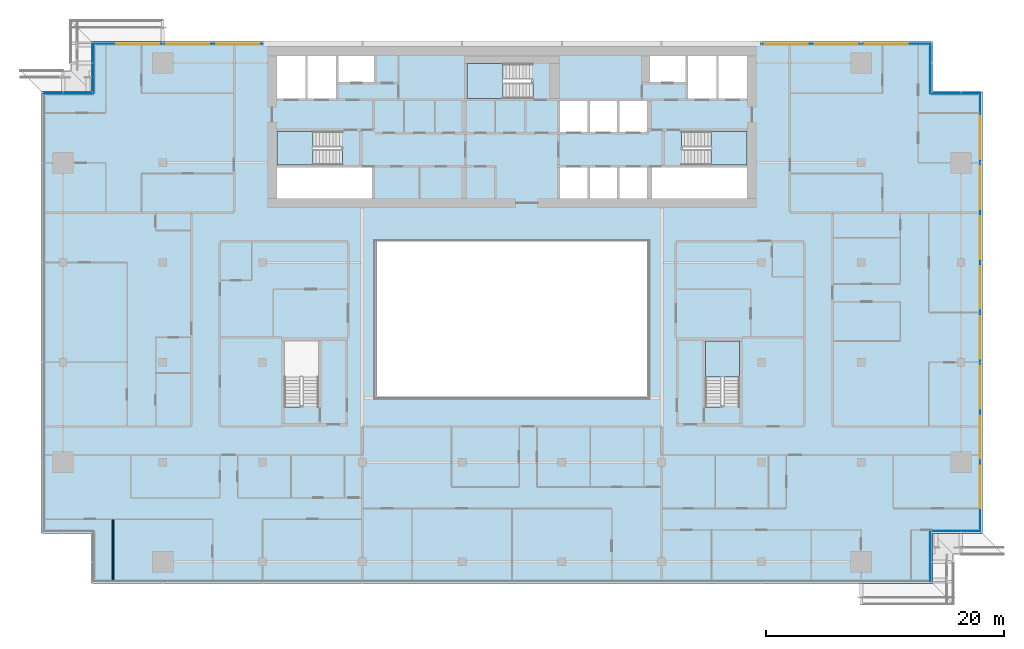
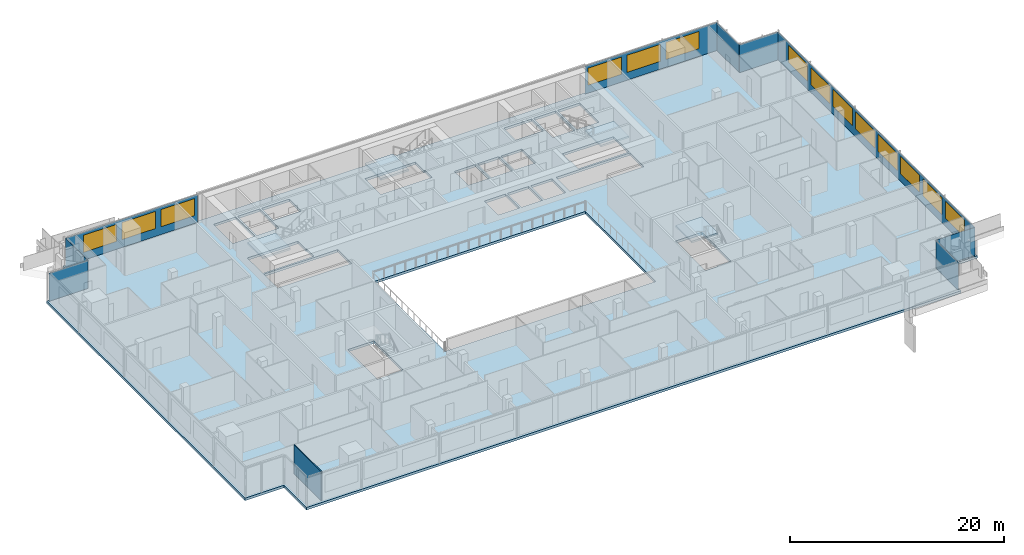
# One storey, part 17 of 30: 14 windows, 9 plates, 5 slabs, 1 wall, 14 openings, 12 elements without a shape of their own.
"""IFC4 building model written with IfcOpenShell, lengths in metres."""

from ifc_helpers import new_model, si_unit, direction, frame, frame_2d, origin, place, context, subcontext, project, spatial, polyline, rectangle, outline, extrude, material, layer, layer_set, type_object, element, fill, aggregate, save


model = new_model("IFC4")

# Units and contexts
model_context = context("Model", 3, precision=1e-05, world=origin(), true_north=direction((0.0, 1.0)))
body_context = subcontext(model_context, "Body", "Model", "MODEL_VIEW")
ifc_project = project(units=[si_unit("LENGTHUNIT", "METRE"), si_unit("AREAUNIT", "SQUARE_METRE"), si_unit("VOLUMEUNIT", "CUBIC_METRE"), si_unit("PLANEANGLEUNIT", "RADIAN"), si_unit("MASSUNIT", "GRAM", prefix="KILO")], contexts=[model_context])

# Site, building, storey
site_placement = place(None, origin())
site = spatial("IfcSite", under=ifc_project, at=site_placement, CompositionType="ELEMENT")
building_placement = place(site_placement, origin())
building = spatial("IfcBuilding", under=site, at=building_placement, Name="Saffron Gate Tower", CompositionType="ELEMENT")
storey_placement = place(building_placement, frame((0.0, 0.0, 179.85009765625)))
storey = spatial("IfcBuildingStorey", under=building, at=storey_placement, Name="L44", CompositionType="ELEMENT", Elevation=179.85009765625)

# Curtain wall, plate, openings, windows
ifc_material_1 = material(Name="Aluminium, bronze anodised", Category="aluminium")
curtain_wall_type_1 = type_object("IfcCurtainWallType", Name="CWS2 curtain wall side facades", PredefinedType="NOTDEFINED", material=ifc_material_1)
curtain_wall_1_placement = place(storey_placement, origin())
curtain_wall_1 = element("IfcCurtainWall", 1, at=curtain_wall_1_placement, inside=storey, type_object=curtain_wall_type_1, Name="CWS2 run 4", PredefinedType="NOTDEFINED")
ifc_material_2 = material(Name="Fritted bronze-tinted laminated glass", Category="glass")
ifc_layer_1 = layer(ifc_material_2, 0.028076171875)
ifc_layer_set_1 = layer_set([ifc_layer_1], Name="CWS2 fixed glass")
plate_type_1 = type_object("IfcPlateType", Name="CWS2 fixed glass", PredefinedType="CURTAIN_PANEL", material=ifc_layer_set_1)
plate_1_placement = place(storey_placement, frame((127.02587890625, 34.387939453125, 0.0), z_axis=(0.0, 0.0, 1.0), x_axis=(0.0, 1.0, 0.0)))
plate_1 = element("IfcPlate", 2, at=plate_1_placement, type_object=plate_type_1, Name="CWS2 glass panel", PredefinedType="CURTAIN_PANEL", context=body_context, shape_type="SweptSolid", body=[
    extrude(rectangle(XDim=36.823974609375, YDim=0.028076171875, at=frame_2d((18.412109375, 0.0))), origin(), (0.0, 0.0, 1.0), 3.199951171875),
])
opening_1_placement = place(plate_1_placement, frame((1.912109375, 0.0, 0.89990234375)))
opening_1 = element("IfcOpeningElement", 3, at=opening_1_placement, cuts=plate_1, Name="Opening W1", PredefinedType="OPENING", context=body_context, shape_type="SweptSolid", body=[
    extrude(rectangle(XDim=3.60009765625, YDim=1.949951171875, at=frame_2d((1.800048828125, 0.97509765625))), frame((0.0, 0.02392578125, 0.0), z_axis=(0.0, -1.0, 0.0), x_axis=(1.0, 0.0, 0.0)), (0.0, 0.0, 1.0), 0.048095703125),
])
opening_2_placement = place(plate_1_placement, frame((6.112060546875, 0.0, 0.89990234375)))
opening_2 = element("IfcOpeningElement", 4, at=opening_2_placement, cuts=plate_1, Name="Opening W1", PredefinedType="OPENING", context=body_context, shape_type="SweptSolid", body=[
    extrude(rectangle(XDim=3.60009765625, YDim=1.949951171875, at=frame_2d((1.800048828125, 0.97509765625))), frame((0.0, 0.02392578125, 0.0), z_axis=(0.0, -1.0, 0.0), x_axis=(1.0, 0.0, 0.0)), (0.0, 0.0, 1.0), 0.048095703125),
])
opening_3_placement = place(plate_1_placement, frame((10.31201171875, 0.0, 0.89990234375)))
opening_3 = element("IfcOpeningElement", 5, at=opening_3_placement, cuts=plate_1, Name="Opening W1", PredefinedType="OPENING", context=body_context, shape_type="SweptSolid", body=[
    extrude(rectangle(XDim=3.60009765625, YDim=1.949951171875, at=frame_2d((1.800048828125, 0.97509765625))), frame((0.0, 0.02392578125, 0.0), z_axis=(0.0, -1.0, 0.0), x_axis=(1.0, 0.0, 0.0)), (0.0, 0.0, 1.0), 0.048095703125),
])
opening_4_placement = place(plate_1_placement, frame((14.511962890625, 0.0, 0.89990234375)))
opening_4 = element("IfcOpeningElement", 6, at=opening_4_placement, cuts=plate_1, Name="Opening W1", PredefinedType="OPENING", context=body_context, shape_type="SweptSolid", body=[
    extrude(rectangle(XDim=3.60009765625, YDim=1.949951171875, at=frame_2d((1.800048828125, 0.97509765625))), frame((0.0, 0.02392578125, 0.0), z_axis=(0.0, -1.0, 0.0), x_axis=(1.0, 0.0, 0.0)), (0.0, 0.0, 1.0), 0.048095703125),
])
opening_5_placement = place(plate_1_placement, frame((18.7119140625, 0.0, 0.89990234375)))
opening_5 = element("IfcOpeningElement", 7, at=opening_5_placement, cuts=plate_1, Name="Opening W1", PredefinedType="OPENING", context=body_context, shape_type="SweptSolid", body=[
    extrude(rectangle(XDim=3.60009765625, YDim=1.949951171875, at=frame_2d((1.800048828125, 0.97509765625))), frame((0.0, 0.02392578125, 0.0), z_axis=(0.0, -1.0, 0.0), x_axis=(1.0, 0.0, 0.0)), (0.0, 0.0, 1.0), 0.048095703125),
])
opening_6_placement = place(plate_1_placement, frame((22.912109375, 0.0, 0.89990234375)))
opening_6 = element("IfcOpeningElement", 8, at=opening_6_placement, cuts=plate_1, Name="Opening W1", PredefinedType="OPENING", context=body_context, shape_type="SweptSolid", body=[
    extrude(rectangle(XDim=3.60009765625, YDim=1.949951171875, at=frame_2d((1.800048828125, 0.97509765625))), frame((0.0, 0.02392578125, 0.0), z_axis=(0.0, -1.0, 0.0), x_axis=(1.0, 0.0, 0.0)), (0.0, 0.0, 1.0), 0.048095703125),
])
opening_7_placement = place(plate_1_placement, frame((27.112060546875, 0.0, 0.89990234375)))
opening_7 = element("IfcOpeningElement", 9, at=opening_7_placement, cuts=plate_1, Name="Opening W1", PredefinedType="OPENING", context=body_context, shape_type="SweptSolid", body=[
    extrude(rectangle(XDim=3.60009765625, YDim=1.949951171875, at=frame_2d((1.800048828125, 0.97509765625))), frame((0.0, 0.02392578125, 0.0), z_axis=(0.0, -1.0, 0.0), x_axis=(1.0, 0.0, 0.0)), (0.0, 0.0, 1.0), 0.048095703125),
])
opening_8_placement = place(plate_1_placement, frame((31.31201171875, 0.0, 0.89990234375)))
opening_8 = element("IfcOpeningElement", 10, at=opening_8_placement, cuts=plate_1, Name="Opening W1", PredefinedType="OPENING", context=body_context, shape_type="SweptSolid", body=[
    extrude(rectangle(XDim=3.60009765625, YDim=1.949951171875, at=frame_2d((1.800048828125, 0.97509765625))), frame((0.0, 0.02392578125, 0.0), z_axis=(0.0, -1.0, 0.0), x_axis=(1.0, 0.0, 0.0)), (0.0, 0.0, 1.0), 0.048095703125),
])
ifc_material_3 = material(Name="Fritted bronze-tinted laminated glass in bronze frame", Category="glass")
ifc_layer_2 = layer(ifc_material_3, 0.06005859375)
ifc_layer_set_2 = layer_set([ifc_layer_2], Name="W1 operable panel 3600x1950")
window_type = type_object("IfcWindowType", Name="W1 operable panel 3600x1950", PartitioningType="DOUBLE_PANEL_HORIZONTAL", PredefinedType="WINDOW", material=ifc_layer_set_2)
window_1_placement = place(opening_1_placement, origin())
window_1 = element("IfcWindow", 11, at=window_1_placement, type_object=window_type, Name="W1 operable panel", OverallHeight=1.949951171875, OverallWidth=3.60009765625, PartitioningType="SINGLE_PANEL", PredefinedType="WINDOW", context=body_context, shape_type="SweptSolid", body=[
    extrude(rectangle(XDim=3.60009765625, YDim=1.949951171875, at=frame_2d((1.800048828125, 0.97509765625))), frame((0.0, 0.013671875, 0.0), z_axis=(0.0, -1.0, 0.0), x_axis=(1.0, 0.0, 0.0)), (0.0, 0.0, 1.0), 0.027587890625),
])
fill(opening_1, window_1)
window_2_placement = place(opening_2_placement, origin())
window_2 = element("IfcWindow", 12, at=window_2_placement, type_object=window_type, Name="W1 operable panel", OverallHeight=1.949951171875, OverallWidth=3.60009765625, PartitioningType="SINGLE_PANEL", PredefinedType="WINDOW", context=body_context, shape_type="SweptSolid", body=[
    extrude(rectangle(XDim=3.60009765625, YDim=1.949951171875, at=frame_2d((1.800048828125, 0.97509765625))), frame((0.0, 0.013671875, 0.0), z_axis=(0.0, -1.0, 0.0), x_axis=(1.0, 0.0, 0.0)), (0.0, 0.0, 1.0), 0.027587890625),
])
fill(opening_2, window_2)
window_3_placement = place(opening_3_placement, origin())
window_3 = element("IfcWindow", 13, at=window_3_placement, type_object=window_type, Name="W1 operable panel", OverallHeight=1.949951171875, OverallWidth=3.60009765625, PartitioningType="SINGLE_PANEL", PredefinedType="WINDOW", context=body_context, shape_type="SweptSolid", body=[
    extrude(rectangle(XDim=3.60009765625, YDim=1.949951171875, at=frame_2d((1.800048828125, 0.97509765625))), frame((0.0, 0.013671875, 0.0), z_axis=(0.0, -1.0, 0.0), x_axis=(1.0, 0.0, 0.0)), (0.0, 0.0, 1.0), 0.027587890625),
])
fill(opening_3, window_3)
window_4_placement = place(opening_4_placement, origin())
window_4 = element("IfcWindow", 14, at=window_4_placement, type_object=window_type, Name="W1 operable panel", OverallHeight=1.949951171875, OverallWidth=3.60009765625, PartitioningType="SINGLE_PANEL", PredefinedType="WINDOW", context=body_context, shape_type="SweptSolid", body=[
    extrude(rectangle(XDim=3.60009765625, YDim=1.949951171875, at=frame_2d((1.800048828125, 0.97509765625))), frame((0.0, 0.013671875, 0.0), z_axis=(0.0, -1.0, 0.0), x_axis=(1.0, 0.0, 0.0)), (0.0, 0.0, 1.0), 0.027587890625),
])
fill(opening_4, window_4)
window_5_placement = place(opening_5_placement, origin())
window_5 = element("IfcWindow", 15, at=window_5_placement, type_object=window_type, Name="W1 operable panel", OverallHeight=1.949951171875, OverallWidth=3.60009765625, PartitioningType="SINGLE_PANEL", PredefinedType="WINDOW", context=body_context, shape_type="SweptSolid", body=[
    extrude(rectangle(XDim=3.60009765625, YDim=1.949951171875, at=frame_2d((1.800048828125, 0.97509765625))), frame((0.0, 0.013671875, 0.0), z_axis=(0.0, -1.0, 0.0), x_axis=(1.0, 0.0, 0.0)), (0.0, 0.0, 1.0), 0.027587890625),
])
fill(opening_5, window_5)
window_6_placement = place(opening_6_placement, origin())
window_6 = element("IfcWindow", 16, at=window_6_placement, type_object=window_type, Name="W1 operable panel", OverallHeight=1.949951171875, OverallWidth=3.60009765625, PartitioningType="SINGLE_PANEL", PredefinedType="WINDOW", context=body_context, shape_type="SweptSolid", body=[
    extrude(rectangle(XDim=3.60009765625, YDim=1.949951171875, at=frame_2d((1.800048828125, 0.97509765625))), frame((0.0, 0.013671875, 0.0), z_axis=(0.0, -1.0, 0.0), x_axis=(1.0, 0.0, 0.0)), (0.0, 0.0, 1.0), 0.027587890625),
])
fill(opening_6, window_6)
window_7_placement = place(opening_7_placement, origin())
window_7 = element("IfcWindow", 17, at=window_7_placement, type_object=window_type, Name="W1 operable panel", OverallHeight=1.949951171875, OverallWidth=3.60009765625, PartitioningType="SINGLE_PANEL", PredefinedType="WINDOW", context=body_context, shape_type="SweptSolid", body=[
    extrude(rectangle(XDim=3.60009765625, YDim=1.949951171875, at=frame_2d((1.800048828125, 0.97509765625))), frame((0.0, 0.013671875, 0.0), z_axis=(0.0, -1.0, 0.0), x_axis=(1.0, 0.0, 0.0)), (0.0, 0.0, 1.0), 0.027587890625),
])
fill(opening_7, window_7)
window_8_placement = place(opening_8_placement, origin())
window_8 = element("IfcWindow", 18, at=window_8_placement, type_object=window_type, Name="W1 operable panel", OverallHeight=1.949951171875, OverallWidth=3.60009765625, PartitioningType="SINGLE_PANEL", PredefinedType="WINDOW", context=body_context, shape_type="SweptSolid", body=[
    extrude(rectangle(XDim=3.60009765625, YDim=1.949951171875, at=frame_2d((1.800048828125, 0.97509765625))), frame((0.0, 0.013671875, 0.0), z_axis=(0.0, -1.0, 0.0), x_axis=(1.0, 0.0, 0.0)), (0.0, 0.0, 1.0), 0.027587890625),
])
fill(opening_8, window_8)
aggregate(curtain_wall_1, [plate_1, window_1, window_2, window_3, window_4, window_5, window_6, window_7, window_8])

# Curtain wall, plates, openings, windows
curtain_wall_type_2 = type_object("IfcCurtainWallType", Name="CWS3 curtain wall rear facade", PredefinedType="NOTDEFINED", material=ifc_material_1)
curtain_wall_2_placement = place(storey_placement, origin())
curtain_wall_2 = element("IfcCurtainWall", 19, at=curtain_wall_2_placement, inside=storey, type_object=curtain_wall_type_2, Name="CWS3 run 7", PredefinedType="NOTDEFINED")
ifc_material_4 = material(Name="Fritted grey-tinted laminated glass", Category="glass")
ifc_layer_3 = layer(ifc_material_4, 0.028076171875)
ifc_layer_set_3 = layer_set([ifc_layer_3], Name="CWS3 fixed glass")
plate_type_2 = type_object("IfcPlateType", Name="CWS3 fixed glass", PredefinedType="CURTAIN_PANEL", material=ifc_layer_set_3)
plate_2_placement = place(storey_placement, frame((122.81201171875, 75.426025390625, 0.0), z_axis=(0.0, 0.0, 1.0), x_axis=(-1.0, 0.0, 0.0)))
plate_2 = element("IfcPlate", 20, at=plate_2_placement, type_object=plate_type_2, Name="CWS3 glass panel", PredefinedType="CURTAIN_PANEL", context=body_context, shape_type="SweptSolid", body=[
    extrude(rectangle(XDim=14.2470703125, YDim=0.028076171875, at=frame_2d((7.12353515625, 0.0))), origin(), (0.0, 0.0, 1.0), 3.199951171875),
])
opening_9_placement = place(plate_2_placement, frame((1.912109375, 0.0, 0.89990234375)))
opening_9 = element("IfcOpeningElement", 21, at=opening_9_placement, cuts=plate_2, Name="Opening W1", PredefinedType="OPENING", context=body_context, shape_type="SweptSolid", body=[
    extrude(rectangle(XDim=3.60009765625, YDim=1.949951171875, at=frame_2d((1.800048828125, 0.97509765625))), frame((0.0, 0.02392578125, 0.0), z_axis=(0.0, -1.0, 0.0), x_axis=(1.0, 0.0, 0.0)), (0.0, 0.0, 1.0), 0.048095703125),
])
opening_10_placement = place(plate_2_placement, frame((6.112060546875, 0.0, 0.89990234375)))
opening_10 = element("IfcOpeningElement", 22, at=opening_10_placement, cuts=plate_2, Name="Opening W1", PredefinedType="OPENING", context=body_context, shape_type="SweptSolid", body=[
    extrude(rectangle(XDim=3.60009765625, YDim=1.949951171875, at=frame_2d((1.800048828125, 0.97509765625))), frame((0.0, 0.02392578125, 0.0), z_axis=(0.0, -1.0, 0.0), x_axis=(1.0, 0.0, 0.0)), (0.0, 0.0, 1.0), 0.048095703125),
])
opening_11_placement = place(plate_2_placement, frame((10.31201171875, 0.0, 0.89990234375)))
opening_11 = element("IfcOpeningElement", 23, at=opening_11_placement, cuts=plate_2, Name="Opening W1", PredefinedType="OPENING", context=body_context, shape_type="SweptSolid", body=[
    extrude(rectangle(XDim=3.60009765625, YDim=1.949951171875, at=frame_2d((1.800048828125, 0.97509765625))), frame((0.0, 0.02392578125, 0.0), z_axis=(0.0, -1.0, 0.0), x_axis=(1.0, 0.0, 0.0)), (0.0, 0.0, 1.0), 0.048095703125),
])
window_9_placement = place(opening_9_placement, origin())
window_9 = element("IfcWindow", 24, at=window_9_placement, type_object=window_type, Name="W1 operable panel", OverallHeight=1.949951171875, OverallWidth=3.60009765625, PartitioningType="SINGLE_PANEL", PredefinedType="WINDOW", context=body_context, shape_type="SweptSolid", body=[
    extrude(rectangle(XDim=3.60009765625, YDim=1.949951171875, at=frame_2d((1.800048828125, 0.97509765625))), frame((0.0, 0.013671875, 0.0), z_axis=(0.0, -1.0, 0.0), x_axis=(1.0, 0.0, 0.0)), (0.0, 0.0, 1.0), 0.027587890625),
])
fill(opening_9, window_9)
window_10_placement = place(opening_10_placement, origin())
window_10 = element("IfcWindow", 25, at=window_10_placement, type_object=window_type, Name="W1 operable panel", OverallHeight=1.949951171875, OverallWidth=3.60009765625, PartitioningType="SINGLE_PANEL", PredefinedType="WINDOW", context=body_context, shape_type="SweptSolid", body=[
    extrude(rectangle(XDim=3.60009765625, YDim=1.949951171875, at=frame_2d((1.800048828125, 0.97509765625))), frame((0.0, 0.013671875, 0.0), z_axis=(0.0, -1.0, 0.0), x_axis=(1.0, 0.0, 0.0)), (0.0, 0.0, 1.0), 0.027587890625),
])
fill(opening_10, window_10)
window_11_placement = place(opening_11_placement, origin())
window_11 = element("IfcWindow", 26, at=window_11_placement, type_object=window_type, Name="W1 operable panel", OverallHeight=1.949951171875, OverallWidth=3.60009765625, PartitioningType="SINGLE_PANEL", PredefinedType="WINDOW", context=body_context, shape_type="SweptSolid", body=[
    extrude(rectangle(XDim=3.60009765625, YDim=1.949951171875, at=frame_2d((1.800048828125, 0.97509765625))), frame((0.0, 0.013671875, 0.0), z_axis=(0.0, -1.0, 0.0), x_axis=(1.0, 0.0, 0.0)), (0.0, 0.0, 1.0), 0.027587890625),
])
fill(opening_11, window_11)
plate_3_placement = place(storey_placement, frame((66.635009765625, 75.426025390625, 0.0), z_axis=(0.0, 0.0, 1.0), x_axis=(-1.0, 0.0, 0.0)))
plate_3 = element("IfcPlate", 27, at=plate_3_placement, type_object=plate_type_2, Name="CWS3 glass panel", PredefinedType="CURTAIN_PANEL", context=body_context, shape_type="SweptSolid", body=[
    extrude(rectangle(XDim=14.2470703125, YDim=0.028076171875, at=frame_2d((7.12353515625, 0.0))), origin(), (0.0, 0.0, 1.0), 3.199951171875),
])
opening_12_placement = place(plate_3_placement, frame((0.3349609375, 0.0, 0.89990234375)))
opening_12 = element("IfcOpeningElement", 28, at=opening_12_placement, cuts=plate_3, Name="Opening W1", PredefinedType="OPENING", context=body_context, shape_type="SweptSolid", body=[
    extrude(rectangle(XDim=3.60009765625, YDim=1.949951171875, at=frame_2d((1.800048828125, 0.97509765625))), frame((0.0, 0.02392578125, 0.0), z_axis=(0.0, -1.0, 0.0), x_axis=(1.0, 0.0, 0.0)), (0.0, 0.0, 1.0), 0.048095703125),
])
opening_13_placement = place(plate_3_placement, frame((4.534912109375, 0.0, 0.89990234375)))
opening_13 = element("IfcOpeningElement", 29, at=opening_13_placement, cuts=plate_3, Name="Opening W1", PredefinedType="OPENING", context=body_context, shape_type="SweptSolid", body=[
    extrude(rectangle(XDim=3.60009765625, YDim=1.949951171875, at=frame_2d((1.800048828125, 0.97509765625))), frame((0.0, 0.02392578125, 0.0), z_axis=(0.0, -1.0, 0.0), x_axis=(1.0, 0.0, 0.0)), (0.0, 0.0, 1.0), 0.048095703125),
])
opening_14_placement = place(plate_3_placement, frame((8.735107421875, 0.0, 0.89990234375)))
opening_14 = element("IfcOpeningElement", 30, at=opening_14_placement, cuts=plate_3, Name="Opening W1", PredefinedType="OPENING", context=body_context, shape_type="SweptSolid", body=[
    extrude(rectangle(XDim=3.60009765625, YDim=1.949951171875, at=frame_2d((1.800048828125, 0.97509765625))), frame((0.0, 0.02392578125, 0.0), z_axis=(0.0, -1.0, 0.0), x_axis=(1.0, 0.0, 0.0)), (0.0, 0.0, 1.0), 0.048095703125),
])
window_12_placement = place(opening_12_placement, origin())
window_12 = element("IfcWindow", 31, at=window_12_placement, type_object=window_type, Name="W1 operable panel", OverallHeight=1.949951171875, OverallWidth=3.60009765625, PartitioningType="SINGLE_PANEL", PredefinedType="WINDOW", context=body_context, shape_type="SweptSolid", body=[
    extrude(rectangle(XDim=3.60009765625, YDim=1.949951171875, at=frame_2d((1.800048828125, 0.97509765625))), frame((0.0, 0.013671875, 0.0), z_axis=(0.0, -1.0, 0.0), x_axis=(1.0, 0.0, 0.0)), (0.0, 0.0, 1.0), 0.027587890625),
])
fill(opening_12, window_12)
window_13_placement = place(opening_13_placement, origin())
window_13 = element("IfcWindow", 32, at=window_13_placement, type_object=window_type, Name="W1 operable panel", OverallHeight=1.949951171875, OverallWidth=3.60009765625, PartitioningType="SINGLE_PANEL", PredefinedType="WINDOW", context=body_context, shape_type="SweptSolid", body=[
    extrude(rectangle(XDim=3.60009765625, YDim=1.949951171875, at=frame_2d((1.800048828125, 0.97509765625))), frame((0.0, 0.013671875, 0.0), z_axis=(0.0, -1.0, 0.0), x_axis=(1.0, 0.0, 0.0)), (0.0, 0.0, 1.0), 0.027587890625),
])
fill(opening_13, window_13)
window_14_placement = place(opening_14_placement, origin())
window_14 = element("IfcWindow", 33, at=window_14_placement, type_object=window_type, Name="W1 operable panel", OverallHeight=1.949951171875, OverallWidth=3.60009765625, PartitioningType="SINGLE_PANEL", PredefinedType="WINDOW", context=body_context, shape_type="SweptSolid", body=[
    extrude(rectangle(XDim=3.60009765625, YDim=1.949951171875, at=frame_2d((1.800048828125, 0.97509765625))), frame((0.0, 0.013671875, 0.0), z_axis=(0.0, -1.0, 0.0), x_axis=(1.0, 0.0, 0.0)), (0.0, 0.0, 1.0), 0.027587890625),
])
fill(opening_14, window_14)
aggregate(curtain_wall_2, [plate_2, plate_3, window_9, window_10, window_11, window_12, window_13, window_14])

# Curtain wall, plate
curtain_wall_type_3 = type_object("IfcCurtainWallType", Name="CWS4 curtain wall corner returns", PredefinedType="NOTDEFINED", material=ifc_material_1)
curtain_wall_3_placement = place(storey_placement, origin())
curtain_wall_3 = element("IfcCurtainWall", 34, at=curtain_wall_3_placement, inside=storey, type_object=curtain_wall_type_3, Name="CWS4 run 2", PredefinedType="NOTDEFINED")
ifc_layer_4 = layer(ifc_material_2, 0.028076171875)
ifc_layer_set_4 = layer_set([ifc_layer_4], Name="CWS4 fixed glass")
plate_type_3 = type_object("IfcPlateType", Name="CWS4 fixed glass", PredefinedType="CURTAIN_PANEL", material=ifc_layer_set_4)
plate_4_placement = place(storey_placement, frame((122.825927734375, 30.18798828125, 0.0), z_axis=(0.0, 0.0, 1.0), x_axis=(0.0, 1.0, 0.0)))
plate_4 = element("IfcPlate", 35, at=plate_4_placement, type_object=plate_type_3, Name="CWS4 glass panel", PredefinedType="CURTAIN_PANEL", context=body_context, shape_type="SweptSolid", body=[
    extrude(rectangle(XDim=4.172119140625, YDim=0.028076171875, at=frame_2d((2.0859375, 0.0))), origin(), (0.0, 0.0, 1.0), 3.199951171875),
])
aggregate(curtain_wall_3, [plate_4])

curtain_wall_4_placement = place(storey_placement, origin())
curtain_wall_4 = element("IfcCurtainWall", 36, at=curtain_wall_4_placement, inside=storey, type_object=curtain_wall_type_3, Name="CWS4 run 3", PredefinedType="NOTDEFINED")
plate_5_placement = place(storey_placement, frame((122.840087890625, 34.3740234375, 0.0), z_axis=(0.0, 0.0, 1.0), x_axis=(1.0, 0.0, 0.0)))
plate_5 = element("IfcPlate", 37, at=plate_5_placement, type_object=plate_type_3, Name="CWS4 glass panel", PredefinedType="CURTAIN_PANEL", context=body_context, shape_type="SweptSolid", body=[
    extrude(rectangle(XDim=4.171875, YDim=0.028076171875, at=frame_2d((2.0859375, 0.0))), origin(), (0.0, 0.0, 1.0), 3.199951171875),
])
aggregate(curtain_wall_4, [plate_5])

curtain_wall_5_placement = place(storey_placement, origin())
curtain_wall_5 = element("IfcCurtainWall", 38, at=curtain_wall_5_placement, inside=storey, type_object=curtain_wall_type_3, Name="CWS4 run 5", PredefinedType="NOTDEFINED")
plate_6_placement = place(storey_placement, frame((127.011962890625, 71.22607421875, 0.0), z_axis=(0.0, 0.0, 1.0), x_axis=(-1.0, 0.0, 0.0)))
plate_6 = element("IfcPlate", 39, at=plate_6_placement, type_object=plate_type_3, Name="CWS4 glass panel", PredefinedType="CURTAIN_PANEL", context=body_context, shape_type="SweptSolid", body=[
    extrude(rectangle(XDim=4.171875, YDim=0.028076171875, at=frame_2d((2.0859375, 0.0))), origin(), (0.0, 0.0, 1.0), 3.199951171875),
])
aggregate(curtain_wall_5, [plate_6])

curtain_wall_6_placement = place(storey_placement, origin())
curtain_wall_6 = element("IfcCurtainWall", 40, at=curtain_wall_6_placement, inside=storey, type_object=curtain_wall_type_3, Name="CWS4 run 6", PredefinedType="NOTDEFINED")
plate_7_placement = place(storey_placement, frame((122.825927734375, 71.239990234375, 0.0), z_axis=(0.0, 0.0, 1.0), x_axis=(0.0, 1.0, 0.0)))
plate_7 = element("IfcPlate", 41, at=plate_7_placement, type_object=plate_type_3, Name="CWS4 glass panel", PredefinedType="CURTAIN_PANEL", context=body_context, shape_type="SweptSolid", body=[
    extrude(rectangle(XDim=4.172119140625, YDim=0.028076171875, at=frame_2d((2.0859375, 0.0))), origin(), (0.0, 0.0, 1.0), 3.199951171875),
])
aggregate(curtain_wall_6, [plate_7])

curtain_wall_7_placement = place(storey_placement, origin())
curtain_wall_7 = element("IfcCurtainWall", 42, at=curtain_wall_7_placement, inside=storey, type_object=curtain_wall_type_3, Name="CWS4 run 8", PredefinedType="NOTDEFINED")
plate_8_placement = place(storey_placement, frame((52.3740234375, 75.412109375, 0.0), z_axis=(0.0, 0.0, 1.0), x_axis=(0.0, -1.0, 0.0)))
plate_8 = element("IfcPlate", 43, at=plate_8_placement, type_object=plate_type_3, Name="CWS4 glass panel", PredefinedType="CURTAIN_PANEL", context=body_context, shape_type="SweptSolid", body=[
    extrude(rectangle(XDim=4.172119140625, YDim=0.028076171875, at=frame_2d((2.0859375, 0.0))), origin(), (0.0, 0.0, 1.0), 3.199951171875),
])
aggregate(curtain_wall_7, [plate_8])

curtain_wall_8_placement = place(storey_placement, origin())
curtain_wall_8 = element("IfcCurtainWall", 44, at=curtain_wall_8_placement, inside=storey, type_object=curtain_wall_type_3, Name="CWS4 run 9", PredefinedType="NOTDEFINED")
plate_9_placement = place(storey_placement, frame((52.360107421875, 71.22607421875, 0.0), z_axis=(0.0, 0.0, 1.0), x_axis=(-1.0, 0.0, 0.0)))
plate_9 = element("IfcPlate", 45, at=plate_9_placement, type_object=plate_type_3, Name="CWS4 glass panel", PredefinedType="CURTAIN_PANEL", context=body_context, shape_type="SweptSolid", body=[
    extrude(rectangle(XDim=4.172119140625, YDim=0.028076171875, at=frame_2d((2.0859375, 0.0))), origin(), (0.0, 0.0, 1.0), 3.199951171875),
])
aggregate(curtain_wall_8, [plate_9])

# Slab
ifc_material_5 = material(Name="Concrete C40", Category="concrete")
ifc_layer_5 = layer(ifc_material_5, 0.280029296875)
ifc_layer_set_5 = layer_set([ifc_layer_5], Name="S2 FLOOR SLAB 280 CONCRETE C40")
slab_type_1 = type_object("IfcSlabType", Name="S2 FLOOR SLAB 280 CONCRETE C40", PredefinedType="FLOOR", material=ifc_layer_set_5)
slab_1_placement = place(storey_placement, frame((0.0, 0.0, -0.280029296875)))
element("IfcSlab", 46, at=slab_1_placement, inside=storey, type_object=slab_type_1, Name="S2 FLOOR SLAB", PredefinedType="FLOOR", context=body_context, shape_type="SweptSolid", body=[
    extrude(outline(polyline([(48.0, 34.199951171875), (52.199951171875, 34.199951171875), (52.199951171875, 30.0), (123.0, 30.0), (123.0, 34.199951171875), (127.199951171875, 34.199951171875), (127.199951171875, 71.39990234375), (123.0, 71.39990234375), (123.0, 75.60009765625), (52.199951171875, 75.60009765625), (52.199951171875, 71.39990234375), (48.0, 71.39990234375), (48.0, 34.199951171875)]), holes=[polyline([(67.800048828125, 62.39990234375), (67.800048828125, 65.0), (75.800048828125, 65.0), (75.800048828125, 62.39990234375), (67.800048828125, 62.39990234375)]), polyline([(67.800048828125, 65.199951171875), (67.800048828125, 68.050048828125), (73.25, 68.050048828125), (73.25, 66.550048828125), (73.34912109375, 66.550048828125), (73.34912109375, 65.199951171875), (67.800048828125, 65.199951171875)]), polyline([(67.800048828125, 70.800048828125), (67.800048828125, 74.39990234375), (70.199951171875, 74.39990234375), (70.199951171875, 70.800048828125), (67.800048828125, 70.800048828125)]), polyline([(68.449951171875, 44.85107421875), (68.449951171875, 50.39990234375), (71.300048828125, 50.39990234375), (71.300048828125, 44.949951171875), (69.800048828125, 44.949951171875), (69.800048828125, 44.85107421875), (68.449951171875, 44.85107421875)]), polyline([(70.39990234375, 70.800048828125), (70.39990234375, 74.39990234375), (72.800048828125, 74.39990234375), (72.800048828125, 70.800048828125), (70.39990234375, 70.800048828125)]), polyline([(73.0, 72.199951171875), (73.0, 74.39990234375), (76.0, 74.39990234375), (76.0, 72.199951171875), (73.0, 72.199951171875)]), polyline([(76.199951171875, 45.60009765625), (76.199951171875, 58.800048828125), (99.0, 58.800048828125), (99.0, 45.60009765625), (76.199951171875, 45.60009765625)]), polyline([(83.800048828125, 70.800048828125), (83.800048828125, 73.75), (89.25, 73.75), (89.25, 72.14990234375), (89.34912109375, 72.14990234375), (89.34912109375, 70.800048828125), (83.800048828125, 70.800048828125)]), polyline([(91.64990234375, 62.39990234375), (91.64990234375, 65.0), (93.949951171875, 65.0), (93.949951171875, 62.39990234375), (91.64990234375, 62.39990234375)]), polyline([(91.64990234375, 68.0), (91.64990234375, 70.60009765625), (93.949951171875, 70.60009765625), (93.949951171875, 68.0), (91.64990234375, 68.0)]), polyline([(94.14990234375, 62.39990234375), (94.14990234375, 65.0), (96.449951171875, 65.0), (96.449951171875, 62.39990234375), (94.14990234375, 62.39990234375)]), polyline([(94.14990234375, 68.0), (94.14990234375, 70.60009765625), (96.449951171875, 70.60009765625), (96.449951171875, 68.0), (94.14990234375, 68.0)]), polyline([(96.64990234375, 62.39990234375), (96.64990234375, 65.0), (98.949951171875, 65.0), (98.949951171875, 62.39990234375), (96.64990234375, 62.39990234375)]), polyline([(96.64990234375, 68.0), (96.64990234375, 70.60009765625), (98.949951171875, 70.60009765625), (98.949951171875, 68.0), (96.64990234375, 68.0)]), polyline([(99.199951171875, 72.199951171875), (99.199951171875, 74.39990234375), (102.199951171875, 74.39990234375), (102.199951171875, 72.199951171875), (99.199951171875, 72.199951171875)]), polyline([(99.39990234375, 62.39990234375), (99.39990234375, 65.0), (107.39990234375, 65.0), (107.39990234375, 62.39990234375), (99.39990234375, 62.39990234375)]), polyline([(101.85107421875, 66.699951171875), (101.85107421875, 68.050048828125), (107.39990234375, 68.050048828125), (107.39990234375, 65.199951171875), (101.949951171875, 65.199951171875), (101.949951171875, 66.699951171875), (101.85107421875, 66.699951171875)]), polyline([(102.39990234375, 70.800048828125), (102.39990234375, 74.39990234375), (104.800048828125, 74.39990234375), (104.800048828125, 70.800048828125), (102.39990234375, 70.800048828125)]), polyline([(103.89990234375, 44.85107421875), (103.89990234375, 50.39990234375), (106.75, 50.39990234375), (106.75, 44.949951171875), (105.25, 44.949951171875), (105.25, 44.85107421875), (103.89990234375, 44.85107421875)]), polyline([(105.0, 70.800048828125), (105.0, 74.39990234375), (107.39990234375, 74.39990234375), (107.39990234375, 70.800048828125), (105.0, 70.800048828125)])]), origin(), (0.0, 0.0, 1.0), 0.280029296875),
])

# Stair, slab
stair_type = type_object("IfcStairType", Name="ST7 Stair 1350 wide, 20 risers of 180", PredefinedType="HALF_TURN_STAIR", material=ifc_material_5)
stair_1_placement = place(storey_placement, origin())
stair_1 = element("IfcStair", 47, at=stair_1_placement, inside=storey, type_object=stair_type, Name="L44 Exit stair A", PredefinedType="HALF_TURN_STAIR")
ifc_layer_6 = layer(ifc_material_5, 0.199951171875)
ifc_layer_set_6 = layer_set([ifc_layer_6], Name="SL1 Stair landing 200")
slab_type_2 = type_object("IfcSlabType", Name="SL1 Stair landing 200", PredefinedType="LANDING", material=ifc_layer_set_6)
slab_2_placement = place(storey_placement, frame((0.0, 0.0, 1.599853515625)))
slab_2 = element("IfcSlab", 48, at=slab_2_placement, type_object=slab_type_2, Name="ST-A landing 1", PredefinedType="LANDING", context=body_context, shape_type="SweptSolid", body=[
    extrude(outline(polyline([(70.830078125, 68.050048828125), (67.800048828125, 68.050048828125), (67.800048828125, 65.199951171875), (70.830078125, 65.199951171875), (70.830078125, 68.050048828125)])), origin(), (0.0, 0.0, 1.0), 0.199951171875),
])
aggregate(stair_1, [slab_2])

stair_2_placement = place(storey_placement, origin())
stair_2 = element("IfcStair", 49, at=stair_2_placement, inside=storey, type_object=stair_type, Name="L44 Exit stair B", PredefinedType="HALF_TURN_STAIR")
slab_3_placement = place(storey_placement, frame((0.0, 0.0, 1.599853515625)))
slab_3 = element("IfcSlab", 50, at=slab_3_placement, type_object=slab_type_2, Name="ST-B landing 1", PredefinedType="LANDING", context=body_context, shape_type="SweptSolid", body=[
    extrude(outline(polyline([(104.3701171875, 65.199951171875), (107.39990234375, 65.199951171875), (107.39990234375, 68.050048828125), (104.3701171875, 68.050048828125), (104.3701171875, 65.199951171875)])), origin(), (0.0, 0.0, 1.0), 0.199951171875),
])
aggregate(stair_2, [slab_3])

stair_3_placement = place(storey_placement, origin())
stair_3 = element("IfcStair", 51, at=stair_3_placement, inside=storey, type_object=stair_type, Name="L44 Exit stair C", PredefinedType="HALF_TURN_STAIR")
slab_4_placement = place(storey_placement, frame((0.0, 0.0, 1.599853515625)))
slab_4 = element("IfcSlab", 52, at=slab_4_placement, type_object=slab_type_2, Name="ST-C landing 1", PredefinedType="LANDING", context=body_context, shape_type="SweptSolid", body=[
    extrude(outline(polyline([(86.830078125, 73.75), (83.800048828125, 73.75), (83.800048828125, 70.800048828125), (86.830078125, 70.800048828125), (86.830078125, 73.75)])), origin(), (0.0, 0.0, 1.0), 0.199951171875),
])
aggregate(stair_3, [slab_4])

stair_4_placement = place(storey_placement, origin())
stair_4 = element("IfcStair", 53, at=stair_4_placement, inside=storey, type_object=stair_type, Name="L44 Exit stair E", PredefinedType="HALF_TURN_STAIR")
slab_5_placement = place(storey_placement, frame((0.0, 0.0, 1.599853515625)))
slab_5 = element("IfcSlab", 54, at=slab_5_placement, type_object=slab_type_2, Name="ST-E landing 1", PredefinedType="LANDING", context=body_context, shape_type="SweptSolid", body=[
    extrude(outline(polyline([(106.75, 47.3701171875), (106.75, 50.39990234375), (103.89990234375, 50.39990234375), (103.89990234375, 47.3701171875), (106.75, 47.3701171875)])), origin(), (0.0, 0.0, 1.0), 0.199951171875),
])
aggregate(stair_4, [slab_5])

# Wall
ifc_material_6 = material(Name="Plasterboard on steel studs", Category="steel")
ifc_layer_7 = layer(ifc_material_6, 0.10009765625)
ifc_layer_set_7 = layer_set([ifc_layer_7], Name="PW1 Partition 100")
wall_type = type_object("IfcWallType", Name="PW1 Partition 100", PredefinedType="PARTITIONING", material=ifc_layer_set_7)
wall_placement = place(storey_placement, frame((54.0, 35.35009765625, 0.0), z_axis=(0.0, 0.0, 1.0), x_axis=(0.0, -1.0, 0.0)))
element("IfcWall", 55, at=wall_placement, inside=storey, type_object=wall_type, Name="Partition C4-59", PredefinedType="PARTITIONING", context=body_context, shape_type="SweptSolid", body=[
    extrude(rectangle(XDim=5.070068359375, YDim=0.10009765625, at=frame_2d((2.53515625, 0.0))), origin(), (0.0, 0.0, 1.0), 3.31982421875),
])

save(model, "model.ifc")
